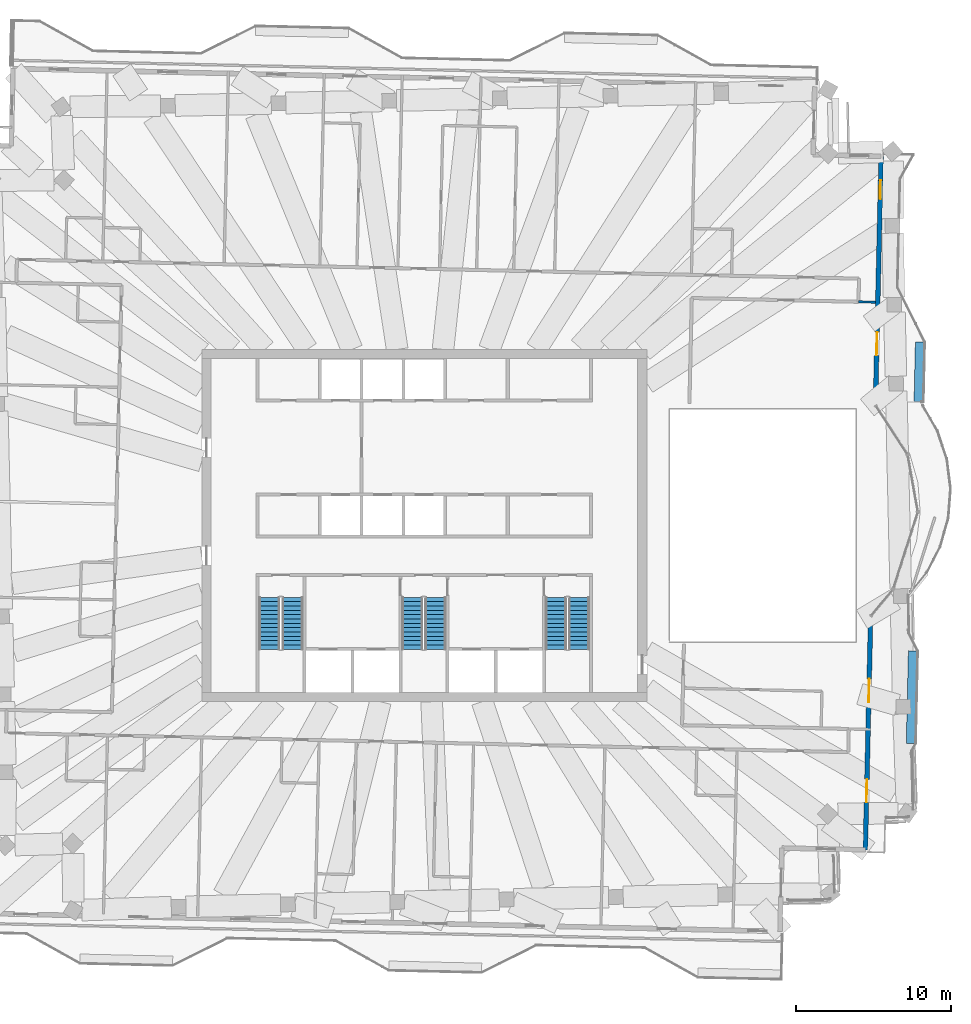
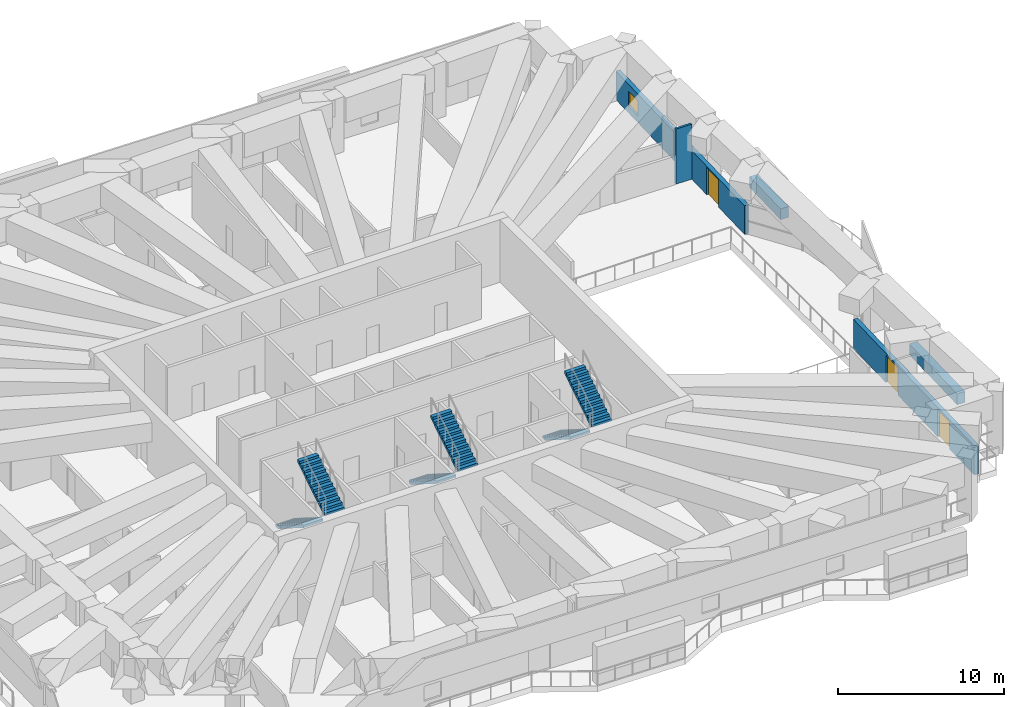
# One storey, part 15 of 20: 6 stair flights, 5 walls, 3 doors, 1 window, 4 openings, 3 elements without a shape of their own.
"""IFC4 building model written with IfcOpenShell, lengths in metres."""

from ifc_helpers import new_model, si_unit, direction, frame, frame_2d, origin, place, context, subcontext, project, spatial, polyline, rectangle, outline, extrude, material, layer, layer_set, type_object, element, fill, aggregate, save


model = new_model("IFC4")

# Units and contexts
model_context = context("Model", 3, precision=1e-05, world=origin(), true_north=direction((0.0, 1.0)))
body_context = subcontext(model_context, "Body", "Model", "MODEL_VIEW")
ifc_project = project(units=[si_unit("LENGTHUNIT", "METRE"), si_unit("AREAUNIT", "SQUARE_METRE"), si_unit("VOLUMEUNIT", "CUBIC_METRE"), si_unit("PLANEANGLEUNIT", "RADIAN"), si_unit("MASSUNIT", "GRAM", prefix="KILO")], contexts=[model_context])

# Site, building, storey
site_placement = place(None, origin())
site = spatial("IfcSite", under=ifc_project, at=site_placement, CompositionType="ELEMENT")
building_placement = place(site_placement, origin())
building = spatial("IfcBuilding", under=site, at=building_placement, Name="Mangrove Gate Tower", CompositionType="ELEMENT")
storey_placement = place(building_placement, frame((0.0, 0.0, 301.5)))
storey = spatial("IfcBuildingStorey", under=building, at=storey_placement, Name="L77", CompositionType="ELEMENT", Elevation=301.5)

# Wall, openings, doors
ifc_material_1 = material(Name="Limestone", Category="masonry")
ifc_layer_1 = layer(ifc_material_1, 0.0400390625, Name="Limestone cladding")
ifc_material_2 = material(Name="Ventilated air gap")
ifc_layer_2 = layer(ifc_material_2, 0.0400390625, Name="Ventilated cavity")
ifc_material_3 = material(Name="Mineral wool insulation")
ifc_layer_3 = layer(ifc_material_3, 0.06005859375, Name="Insulation")
ifc_material_4 = material(Name="Breather membrane")
ifc_layer_4 = layer(ifc_material_4, 0.001953125, Name="Breather membrane")
ifc_material_5 = material(Name="Concrete C20/25 blockwork", Category="masonry")
ifc_layer_5 = layer(ifc_material_5, 0.14990234375, Name="Blockwork backing wall")
ifc_material_6 = material(Name="Gypsum plaster")
ifc_layer_6 = layer(ifc_material_6, 0.008056640625, Name="Internal plaster")
ifc_layer_set_1 = layer_set([ifc_layer_1, ifc_layer_2, ifc_layer_3, ifc_layer_4, ifc_layer_5, ifc_layer_6], Name="External wall 300 limestone cladding")
wall_type_1 = type_object("IfcWallType", Name="External wall 300 limestone cladding", PredefinedType="SOLIDWALL", material=ifc_layer_set_1)
wall_1_placement = place(storey_placement, frame((28.5439453125, -20.989990234375, 0.0), z_axis=(0.0, 0.0, 1.0), x_axis=(0.02267155512, 0.999742967261, 0.0)))
wall_1 = element("IfcWall", 1, at=wall_1_placement, inside=storey, type_object=wall_type_1, Name="WALL-L77-E0", PredefinedType="SOLIDWALL", context=body_context, shape_type="SweptSolid", body=[
    extrude(rectangle(XDim=15.1298828125, YDim=0.300048828125, at=frame_2d((7.56494140625, 0.0))), origin(), (0.0, 0.0, 1.0), 2.14990234375),
])
opening_1_placement = place(wall_1_placement, frame((3.074951171875, 0.0, 0.0)))
opening_1 = element("IfcOpeningElement", 2, at=opening_1_placement, cuts=wall_1, Name="Opening BD3", PredefinedType="OPENING", context=body_context, shape_type="SweptSolid", body=[
    extrude(rectangle(XDim=1.5, YDim=2.0, at=frame_2d((0.75, 1.0))), frame((0.0, 0.159912109375, 0.0), z_axis=(0.0, -1.0, 0.0), x_axis=(1.0, 0.0, 0.0)), (0.0, 0.0, 1.0), 0.320068359375),
])
opening_2_placement = place(wall_1_placement, frame((9.571044921875, 0.0, 0.0)))
opening_2 = element("IfcOpeningElement", 3, at=opening_2_placement, cuts=wall_1, Name="Opening BD3", PredefinedType="OPENING", context=body_context, shape_type="SweptSolid", body=[
    extrude(rectangle(XDim=1.5, YDim=2.0, at=frame_2d((0.75, 1.0))), frame((0.0, 0.159912109375, 0.0), z_axis=(0.0, -1.0, 0.0), x_axis=(1.0, 0.0, 0.0)), (0.0, 0.0, 1.0), 0.320068359375),
])
ifc_material_7 = material(Name="Aluminium frame with laminated clear glass", Category="aluminium")
door_type = type_object("IfcDoorType", Name="Balcony sliding door 1500x2000", OperationType="SLIDING_TO_LEFT", PredefinedType="DOOR", material=ifc_material_7)
door_1_placement = place(opening_1_placement, origin())
door_1 = element("IfcDoor", 4, at=door_1_placement, inside=storey, type_object=door_type, Name="DOOR-L77-E0-1", OperationType="SLIDING_TO_LEFT", OverallHeight=2.0, OverallWidth=1.5, PredefinedType="DOOR", context=body_context, shape_type="SweptSolid", body=[
    extrude(rectangle(XDim=1.5, YDim=2.0, at=frame_2d((0.75, 1.0))), frame((0.0, 0.02490234375, 0.0), z_axis=(0.0, -1.0, 0.0), x_axis=(1.0, 0.0, 0.0)), (0.0, 0.0, 1.0), 0.050048828125),
])
fill(opening_1, door_1)
door_2_placement = place(opening_2_placement, origin())
door_2 = element("IfcDoor", 5, at=door_2_placement, inside=storey, type_object=door_type, Name="DOOR-L77-E0-2", OperationType="SLIDING_TO_LEFT", OverallHeight=2.0, OverallWidth=1.5, PredefinedType="DOOR", context=body_context, shape_type="SweptSolid", body=[
    extrude(rectangle(XDim=1.5, YDim=2.0, at=frame_2d((0.75, 1.0))), frame((0.0, 0.02490234375, 0.0), z_axis=(0.0, -1.0, 0.0), x_axis=(1.0, 0.0, 0.0)), (0.0, 0.0, 1.0), 0.050048828125),
])
fill(opening_2, door_2)

# Wall, openings, door, window
wall_2_placement = place(storey_placement, frame((29.197021484375, 7.77392578125, 0.0), z_axis=(0.0, 0.0, 1.0), x_axis=(0.022689772414, 0.999742553975, 0.0)))
wall_2 = element("IfcWall", 6, at=wall_2_placement, inside=storey, type_object=wall_type_1, Name="WALL-L77-E2", PredefinedType="SOLIDWALL", context=body_context, shape_type="SweptSolid", body=[
    extrude(rectangle(XDim=16.129150390625, YDim=0.300048828125, at=frame_2d((8.064453125, 0.0))), origin(), (0.0, 0.0, 1.0), 2.10009765625),
])
opening_3_placement = place(wall_2_placement, frame((3.240966796875, 0.0, 0.0)))
opening_3 = element("IfcOpeningElement", 7, at=opening_3_placement, cuts=wall_2, Name="Opening BD3", PredefinedType="OPENING", context=body_context, shape_type="SweptSolid", body=[
    extrude(rectangle(XDim=1.5, YDim=2.0, at=frame_2d((0.75, 1.0))), frame((0.0, 0.159912109375, 0.0), z_axis=(0.0, -1.0, 0.0), x_axis=(1.0, 0.0, 0.0)), (0.0, 0.0, 1.0), 0.320068359375),
])
opening_4_placement = place(wall_2_placement, frame((13.362060546875, 0.0, 0.5)))
opening_4 = element("IfcOpeningElement", 8, at=opening_4_placement, cuts=wall_2, Name="Opening W6", PredefinedType="OPENING", context=body_context, shape_type="SweptSolid", body=[
    extrude(rectangle(XDim=1.199951171875, YDim=1.10009765625, at=frame_2d((0.60009765625, 0.550048828125))), frame((0.0, 0.159912109375, 0.0), z_axis=(0.0, -1.0, 0.0), x_axis=(1.0, 0.0, 0.0)), (0.0, 0.0, 1.0), 0.320068359375),
])
door_3_placement = place(opening_3_placement, origin())
door_3 = element("IfcDoor", 9, at=door_3_placement, inside=storey, type_object=door_type, Name="DOOR-L77-E2-1", OperationType="SLIDING_TO_LEFT", OverallHeight=2.0, OverallWidth=1.5, PredefinedType="DOOR", context=body_context, shape_type="SweptSolid", body=[
    extrude(rectangle(XDim=1.5, YDim=2.0, at=frame_2d((0.75, 1.0))), frame((0.0, 0.02490234375, 0.0), z_axis=(0.0, -1.0, 0.0), x_axis=(1.0, 0.0, 0.0)), (0.0, 0.0, 1.0), 0.050048828125),
])
fill(opening_3, door_3)
ifc_material_8 = material(Name="Aluminium frame with double-glazed low-e glass", Category="aluminium")
window_type = type_object("IfcWindowType", Name="Low window 1200x1100", PartitioningType="SINGLE_PANEL", PredefinedType="WINDOW", material=ifc_material_8)
window_placement = place(opening_4_placement, origin())
window = element("IfcWindow", 10, at=window_placement, inside=storey, type_object=window_type, Name="WIN-L77-E2-2", OverallHeight=1.10009765625, OverallWidth=1.199951171875, PartitioningType="SINGLE_PANEL", PredefinedType="WINDOW", context=body_context, shape_type="SweptSolid", body=[
    extrude(rectangle(XDim=1.199951171875, YDim=1.10009765625, at=frame_2d((0.60009765625, 0.550048828125))), frame((0.0, 0.030029296875, 0.0), z_axis=(0.0, -1.0, 0.0), x_axis=(1.0, 0.0, 0.0)), (0.0, 0.0, 1.0), 0.06005859375),
])
fill(opening_4, window)

# Walls
ifc_material_9 = material(Name="Gypsum board on steel stud, EI 60", Category="steel")
ifc_layer_7 = layer(ifc_material_9, 0.14990234375)
ifc_layer_set_2 = layer_set([ifc_layer_7], Name="Party wall 150 EI 60")
wall_type_2 = type_object("IfcWallType", Name="Party wall 150 EI 60", PredefinedType="PARTITIONING", material=ifc_layer_set_2)
wall_3_placement = place(storey_placement, frame((28.09912109375, 14.47998046875, 0.0), z_axis=(0.0, 0.0, 1.0), x_axis=(0.999743779532, -0.022635708216, 0.0)))
element("IfcWall", 11, at=wall_3_placement, inside=storey, type_object=wall_type_2, Name="WALL-L77-046", PredefinedType="PARTITIONING", context=body_context, shape_type="SweptSolid", body=[
    extrude(rectangle(XDim=1.10009765625, YDim=0.14990234375, at=frame_2d((0.550048828125, 0.0))), origin(), (0.0, 0.0, 1.0), 4.050048828125),
])
ifc_material_10 = material(Name="Concrete C32/40", Category="concrete")
ifc_layer_8 = layer(ifc_material_10, 0.199951171875, Name="Planter trough wall")
ifc_material_11 = material(Name="Bituminous waterproofing membrane")
ifc_layer_9 = layer(ifc_material_11, 0.0048828125, Name="Waterproofing")
ifc_material_12 = material(Name="Drainage board and gravel")
ifc_layer_10 = layer(ifc_material_12, 0.044921875, Name="Drainage layer")
ifc_material_13 = material(Name="Planting soil")
ifc_layer_11 = layer(ifc_material_13, 0.300048828125, Name="Growing medium")
ifc_layer_set_3 = layer_set([ifc_layer_8, ifc_layer_9, ifc_layer_10, ifc_layer_11], Name="Planter wall 550 C32/40")
wall_type_3 = type_object("IfcWallType", Name="Planter wall 550 C32/40", PredefinedType="USERDEFINED", material=ifc_layer_set_3)
wall_4_placement = place(storey_placement, frame((31.466064453125, -14.10498046875, 0.0), z_axis=(0.0, 0.0, 1.0), x_axis=(0.022662255828, 0.999743178102, 0.0)))
element("IfcWall", 12, at=wall_4_placement, inside=storey, type_object=wall_type_3, Name="PLANTER L77 E0.1", ObjectType="PLANTER", PredefinedType="USERDEFINED", context=body_context, shape_type="SweptSolid", body=[
    extrude(rectangle(XDim=6.00048828125, YDim=0.550048828125, at=frame_2d((3.000244140625, 0.0))), origin(), (0.0, 0.0, 1.0), 0.800048828125),
])
wall_5_placement = place(storey_placement, frame((31.968017578125, 8.014892578125, 0.0), z_axis=(0.0, 0.0, 1.0), x_axis=(0.022681332769, 0.999742745482, 0.0)))
element("IfcWall", 13, at=wall_5_placement, inside=storey, type_object=wall_type_3, Name="PLANTER L77 E1.1", ObjectType="PLANTER", PredefinedType="USERDEFINED", context=body_context, shape_type="SweptSolid", body=[
    extrude(rectangle(XDim=3.875, YDim=0.550048828125, at=frame_2d((1.9375, 0.0))), origin(), (0.0, 0.0, 1.0), 0.800048828125),
])

# Stair, stair flights
ifc_material_14 = material(Name="Concrete C40/50", Category="concrete")
stair_type = type_object("IfcStairType", Name="Core stair 1350", PredefinedType="HALF_TURN_STAIR", material=ifc_material_14)
stair_1_placement = place(storey_placement, origin())
stair_1 = element("IfcStair", 14, at=stair_1_placement, inside=storey, type_object=stair_type, Name="L77 Stair 1", PredefinedType="HALF_TURN_STAIR")
ifc_material_15 = material(Name="Concrete C40/50", Category="concrete")
stair_flight_type = type_object("IfcStairFlightType", Name="Core stair flight 1350", PredefinedType="STRAIGHT", material=ifc_material_15)
stair_flight_1_placement = place(storey_placement, frame((-10.02490234375, -4.64990234375, 0.0), z_axis=(0.0, 0.0, 1.0), x_axis=(0.0, -1.0, 0.0)))
stair_flight_1 = element("IfcStairFlight", 15, at=stair_flight_1_placement, type_object=stair_flight_type, Name="ST1 flight 1", NumberOfRisers=13, NumberOfTreads=12, PredefinedType="STRAIGHT", RiserHeight=0.176923077, TreadLength=0.28, context=body_context, shape_type="SweptSolid", body=[
    extrude(outline(polyline([(0.0, 0.0), (0.0, 0.177001953125), (0.280029296875, 0.177001953125), (0.280029296875, 0.353759765625), (0.56005859375, 0.353759765625), (0.56005859375, 0.53076171875), (0.840087890625, 0.53076171875), (0.840087890625, 0.707763671875), (1.1201171875, 0.707763671875), (1.1201171875, 0.884521484375), (1.39990234375, 0.884521484375), (1.39990234375, 1.0615234375), (1.679931640625, 1.0615234375), (1.679931640625, 1.238525390625), (1.9599609375, 1.238525390625), (1.9599609375, 1.415283203125), (2.239990234375, 1.415283203125), (2.239990234375, 1.59228515625), (2.52001953125, 1.59228515625), (2.52001953125, 1.769287109375), (2.800048828125, 1.769287109375), (2.800048828125, 1.946044921875), (3.080078125, 1.946044921875), (3.080078125, 2.123046875), (3.360107421875, 2.123046875), (3.360107421875, 2.300048828125), (3.360107421875, 1.94580078125), (0.280517578125, 0.0), (0.0, 0.0)])), frame((0.0, 0.675048828125, 0.0), z_axis=(0.0, -1.0, 0.0), x_axis=(1.0, 0.0, 0.0)), (0.0, 0.0, 1.0), 1.35009765625),
])
stair_flight_2_placement = place(storey_placement, frame((-8.52490234375, -8.010009765625, 2.300048828125), z_axis=(0.0, 0.0, 1.0), x_axis=(0.0, 1.0, 0.0)))
stair_flight_2 = element("IfcStairFlight", 16, at=stair_flight_2_placement, type_object=stair_flight_type, Name="ST1 flight 2", NumberOfRisers=13, NumberOfTreads=12, PredefinedType="STRAIGHT", RiserHeight=0.176923077, TreadLength=0.28, context=body_context, shape_type="SweptSolid", body=[
    extrude(outline(polyline([(0.0, 0.0), (0.0, 0.177001953125), (0.280029296875, 0.177001953125), (0.280029296875, 0.353759765625), (0.56005859375, 0.353759765625), (0.56005859375, 0.53076171875), (0.840087890625, 0.53076171875), (0.840087890625, 0.707763671875), (1.1201171875, 0.707763671875), (1.1201171875, 0.884521484375), (1.39990234375, 0.884521484375), (1.39990234375, 1.0615234375), (1.679931640625, 1.0615234375), (1.679931640625, 1.238525390625), (1.9599609375, 1.238525390625), (1.9599609375, 1.415283203125), (2.239990234375, 1.415283203125), (2.239990234375, 1.59228515625), (2.52001953125, 1.59228515625), (2.52001953125, 1.769287109375), (2.800048828125, 1.769287109375), (2.800048828125, 1.946044921875), (3.080078125, 1.946044921875), (3.080078125, 2.123046875), (3.360107421875, 2.123046875), (3.360107421875, 2.300048828125), (3.360107421875, 1.94580078125), (0.280517578125, 0.0), (0.0, 0.0)])), frame((0.0, 0.675048828125, 0.0), z_axis=(0.0, -1.0, 0.0), x_axis=(1.0, 0.0, 0.0)), (0.0, 0.0, 1.0), 1.35009765625),
])
aggregate(stair_1, [stair_flight_1, stair_flight_2])

stair_2_placement = place(storey_placement, origin())
stair_2 = element("IfcStair", 17, at=stair_2_placement, inside=storey, type_object=stair_type, Name="L77 Stair 2", PredefinedType="HALF_TURN_STAIR")
stair_flight_3_placement = place(storey_placement, frame((-0.77490234375, -4.64990234375, 0.0), z_axis=(0.0, 0.0, 1.0), x_axis=(0.0, -1.0, 0.0)))
stair_flight_3 = element("IfcStairFlight", 18, at=stair_flight_3_placement, type_object=stair_flight_type, Name="ST2 flight 1", NumberOfRisers=13, NumberOfTreads=12, PredefinedType="STRAIGHT", RiserHeight=0.176923077, TreadLength=0.28, context=body_context, shape_type="SweptSolid", body=[
    extrude(outline(polyline([(0.0, 0.0), (0.0, 0.177001953125), (0.280029296875, 0.177001953125), (0.280029296875, 0.353759765625), (0.56005859375, 0.353759765625), (0.56005859375, 0.53076171875), (0.840087890625, 0.53076171875), (0.840087890625, 0.707763671875), (1.1201171875, 0.707763671875), (1.1201171875, 0.884521484375), (1.39990234375, 0.884521484375), (1.39990234375, 1.0615234375), (1.679931640625, 1.0615234375), (1.679931640625, 1.238525390625), (1.9599609375, 1.238525390625), (1.9599609375, 1.415283203125), (2.239990234375, 1.415283203125), (2.239990234375, 1.59228515625), (2.52001953125, 1.59228515625), (2.52001953125, 1.769287109375), (2.800048828125, 1.769287109375), (2.800048828125, 1.946044921875), (3.080078125, 1.946044921875), (3.080078125, 2.123046875), (3.360107421875, 2.123046875), (3.360107421875, 2.300048828125), (3.360107421875, 1.94580078125), (0.280517578125, 0.0), (0.0, 0.0)])), frame((0.0, 0.675048828125, 0.0), z_axis=(0.0, -1.0, 0.0), x_axis=(1.0, 0.0, 0.0)), (0.0, 0.0, 1.0), 1.35009765625),
])
stair_flight_4_placement = place(storey_placement, frame((0.72509765625, -8.010009765625, 2.300048828125), z_axis=(0.0, 0.0, 1.0), x_axis=(0.0, 1.0, 0.0)))
stair_flight_4 = element("IfcStairFlight", 19, at=stair_flight_4_placement, type_object=stair_flight_type, Name="ST2 flight 2", NumberOfRisers=13, NumberOfTreads=12, PredefinedType="STRAIGHT", RiserHeight=0.176923077, TreadLength=0.28, context=body_context, shape_type="SweptSolid", body=[
    extrude(outline(polyline([(0.0, 0.0), (0.0, 0.177001953125), (0.280029296875, 0.177001953125), (0.280029296875, 0.353759765625), (0.56005859375, 0.353759765625), (0.56005859375, 0.53076171875), (0.840087890625, 0.53076171875), (0.840087890625, 0.707763671875), (1.1201171875, 0.707763671875), (1.1201171875, 0.884521484375), (1.39990234375, 0.884521484375), (1.39990234375, 1.0615234375), (1.679931640625, 1.0615234375), (1.679931640625, 1.238525390625), (1.9599609375, 1.238525390625), (1.9599609375, 1.415283203125), (2.239990234375, 1.415283203125), (2.239990234375, 1.59228515625), (2.52001953125, 1.59228515625), (2.52001953125, 1.769287109375), (2.800048828125, 1.769287109375), (2.800048828125, 1.946044921875), (3.080078125, 1.946044921875), (3.080078125, 2.123046875), (3.360107421875, 2.123046875), (3.360107421875, 2.300048828125), (3.360107421875, 1.94580078125), (0.280517578125, 0.0), (0.0, 0.0)])), frame((0.0, 0.675048828125, 0.0), z_axis=(0.0, -1.0, 0.0), x_axis=(1.0, 0.0, 0.0)), (0.0, 0.0, 1.0), 1.35009765625),
])
aggregate(stair_2, [stair_flight_3, stair_flight_4])

stair_3_placement = place(storey_placement, origin())
stair_3 = element("IfcStair", 20, at=stair_3_placement, inside=storey, type_object=stair_type, Name="L77 Stair 3", PredefinedType="HALF_TURN_STAIR")
stair_flight_5_placement = place(storey_placement, frame((8.52490234375, -4.64990234375, 0.0), z_axis=(0.0, 0.0, 1.0), x_axis=(0.0, -1.0, 0.0)))
stair_flight_5 = element("IfcStairFlight", 21, at=stair_flight_5_placement, type_object=stair_flight_type, Name="ST3 flight 1", NumberOfRisers=13, NumberOfTreads=12, PredefinedType="STRAIGHT", RiserHeight=0.176923077, TreadLength=0.28, context=body_context, shape_type="SweptSolid", body=[
    extrude(outline(polyline([(0.0, 0.0), (0.0, 0.177001953125), (0.280029296875, 0.177001953125), (0.280029296875, 0.353759765625), (0.56005859375, 0.353759765625), (0.56005859375, 0.53076171875), (0.840087890625, 0.53076171875), (0.840087890625, 0.707763671875), (1.1201171875, 0.707763671875), (1.1201171875, 0.884521484375), (1.39990234375, 0.884521484375), (1.39990234375, 1.0615234375), (1.679931640625, 1.0615234375), (1.679931640625, 1.238525390625), (1.9599609375, 1.238525390625), (1.9599609375, 1.415283203125), (2.239990234375, 1.415283203125), (2.239990234375, 1.59228515625), (2.52001953125, 1.59228515625), (2.52001953125, 1.769287109375), (2.800048828125, 1.769287109375), (2.800048828125, 1.946044921875), (3.080078125, 1.946044921875), (3.080078125, 2.123046875), (3.360107421875, 2.123046875), (3.360107421875, 2.300048828125), (3.360107421875, 1.94580078125), (0.280517578125, 0.0), (0.0, 0.0)])), frame((0.0, 0.675048828125, 0.0), z_axis=(0.0, -1.0, 0.0), x_axis=(1.0, 0.0, 0.0)), (0.0, 0.0, 1.0), 1.35009765625),
])
stair_flight_6_placement = place(storey_placement, frame((10.02490234375, -8.010009765625, 2.300048828125), z_axis=(0.0, 0.0, 1.0), x_axis=(0.0, 1.0, 0.0)))
stair_flight_6 = element("IfcStairFlight", 22, at=stair_flight_6_placement, type_object=stair_flight_type, Name="ST3 flight 2", NumberOfRisers=13, NumberOfTreads=12, PredefinedType="STRAIGHT", RiserHeight=0.176923077, TreadLength=0.28, context=body_context, shape_type="SweptSolid", body=[
    extrude(outline(polyline([(0.0, 0.0), (0.0, 0.177001953125), (0.280029296875, 0.177001953125), (0.280029296875, 0.353759765625), (0.56005859375, 0.353759765625), (0.56005859375, 0.53076171875), (0.840087890625, 0.53076171875), (0.840087890625, 0.707763671875), (1.1201171875, 0.707763671875), (1.1201171875, 0.884521484375), (1.39990234375, 0.884521484375), (1.39990234375, 1.0615234375), (1.679931640625, 1.0615234375), (1.679931640625, 1.238525390625), (1.9599609375, 1.238525390625), (1.9599609375, 1.415283203125), (2.239990234375, 1.415283203125), (2.239990234375, 1.59228515625), (2.52001953125, 1.59228515625), (2.52001953125, 1.769287109375), (2.800048828125, 1.769287109375), (2.800048828125, 1.946044921875), (3.080078125, 1.946044921875), (3.080078125, 2.123046875), (3.360107421875, 2.123046875), (3.360107421875, 2.300048828125), (3.360107421875, 1.94580078125), (0.280517578125, 0.0), (0.0, 0.0)])), frame((0.0, 0.675048828125, 0.0), z_axis=(0.0, -1.0, 0.0), x_axis=(1.0, 0.0, 0.0)), (0.0, 0.0, 1.0), 1.35009765625),
])
aggregate(stair_3, [stair_flight_5, stair_flight_6])

save(model, "model.ifc")
